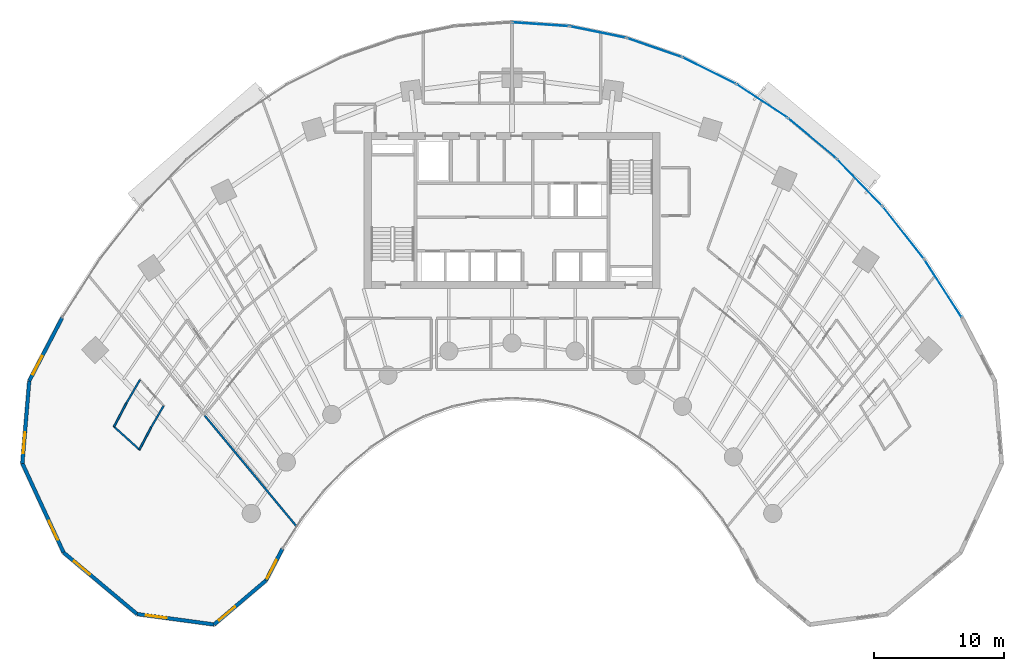
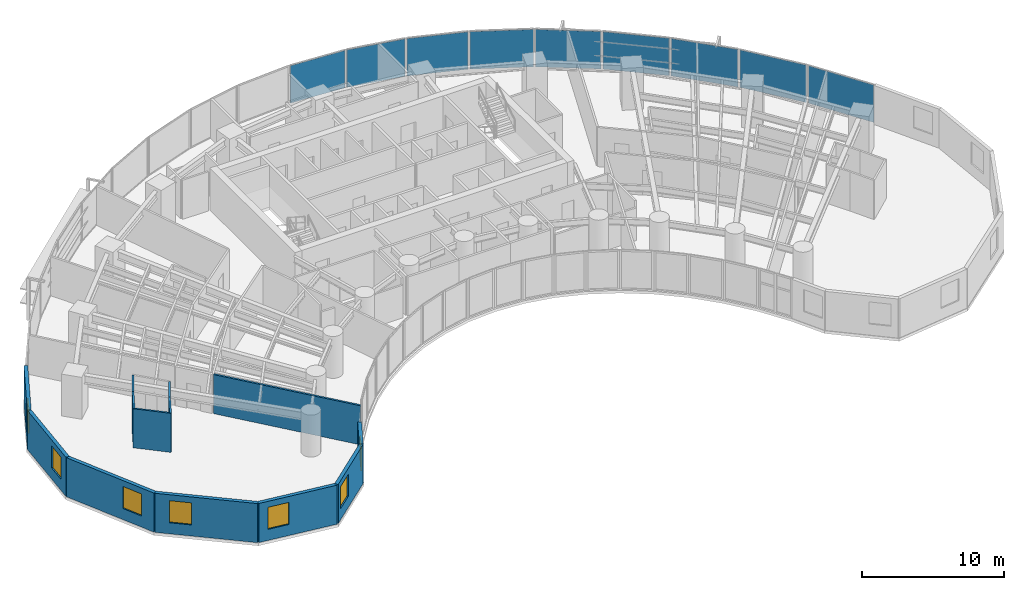
# One storey, part 10 of 17: 13 walls, 9 plates, 7 windows, 7 openings, 9 elements without a shape of their own.
"""IFC4 building model written with IfcOpenShell, lengths in metres."""

from ifc_helpers import new_model, si_unit, direction, frame, frame_2d, origin, origin_2d, place, context, subcontext, project, spatial, rectangle, extrude, source, transform, mapped, material, layer, layer_set, type_object, type_shapes, element, fill, aggregate, save


model = new_model("IFC4")

# Units and contexts
model_context = context("Model", 3, precision=1e-05, world=origin(), true_north=direction((0.0, 1.0)))
body_context = subcontext(model_context, "Body", "Model", "MODEL_VIEW")
ifc_project = project(units=[si_unit("LENGTHUNIT", "METRE"), si_unit("AREAUNIT", "SQUARE_METRE"), si_unit("VOLUMEUNIT", "CUBIC_METRE"), si_unit("PLANEANGLEUNIT", "RADIAN"), si_unit("MASSUNIT", "GRAM", prefix="KILO")], contexts=[model_context])

# Site, building, storey
site_placement = place(None, origin())
site = spatial("IfcSite", under=ifc_project, at=site_placement, CompositionType="ELEMENT")
building_placement = place(site_placement, origin())
building = spatial("IfcBuilding", under=site, at=building_placement, Name="Breltana Convention Tower", CompositionType="ELEMENT")
storey_placement = place(building_placement, frame((0.0, 0.0, 53.39990234375)))
storey = spatial("IfcBuildingStorey", under=building, at=storey_placement, Name="L11", CompositionType="ELEMENT", Elevation=53.39990234375)

# Curtain wall, plate
ifc_material_1 = material(Name="Aluminium Anodised Bronze Frame", Category="aluminium")
ifc_layer_1 = layer(ifc_material_1, 0.199951171875, Name="Aluminium Anodised Bronze Frame")
ifc_layer_set_1 = layer_set([ifc_layer_1], Name="Aluminium Anodised Bronze Frame")
curtain_wall_type = type_object("IfcCurtainWallType", Name="CW-SYS-2", PredefinedType="NOTDEFINED", material=ifc_layer_set_1)
curtain_wall_1_placement = place(storey_placement, origin())
curtain_wall_1 = element("IfcCurtainWall", 1, at=curtain_wall_1_placement, inside=storey, type_object=curtain_wall_type, Name="L11 outer double-skin inner glazing 17", PredefinedType="NOTDEFINED")
ifc_material_2 = material(Name="Glass Low-E Double Glazing", Category="glass")
ifc_layer_2 = layer(ifc_material_2, 0.031982421875, Name="Glass Low-E Double Glazing")
ifc_layer_set_2 = layer_set([ifc_layer_2], Name="Glass Low-E Double Glazing")
plate_type = type_object("IfcPlateType", Name="CWP-IGU-32", PredefinedType="CURTAIN_PANEL", material=ifc_layer_set_2)
shared_shape_1 = source(origin(), body_context, "Body", "SweptSolid", [
    extrude(rectangle(XDim=5.0546875, YDim=0.031982421875, at=origin_2d()), origin(), (0.0, 0.0, 1.0), 3.219970703125),
])
plate_1_placement = place(storey_placement, frame((78.038818359375, 64.504638671875, 0.0703125), z_axis=(0.0, 0.0, 1.0), x_axis=(0.618153917633, -0.786057080698, 0.0)))
plate_1 = element("IfcPlate", 2, at=plate_1_placement, type_object=plate_type, Name="CW-02 panel 1.1", PredefinedType="CURTAIN_PANEL", context=body_context, shape_type="MappedRepresentation", body=[
    mapped(shared_shape_1, transform((0.0, 0.0, 0.0), scale=1.0)),
])
aggregate(curtain_wall_1, [plate_1])

curtain_wall_2_placement = place(storey_placement, origin())
curtain_wall_2 = element("IfcCurtainWall", 3, at=curtain_wall_2_placement, inside=storey, type_object=curtain_wall_type, Name="L11 outer double-skin inner glazing 16", PredefinedType="NOTDEFINED")
shared_shape_2 = source(origin(), body_context, "Body", "SweptSolid", [
    extrude(rectangle(XDim=4.901123046875, YDim=0.031982421875, at=origin_2d()), origin(), (0.0, 0.0, 1.0), 3.219970703125),
])
plate_2_placement = place(storey_placement, frame((74.682373046875, 68.359619140625, 0.0703125), z_axis=(0.0, 0.0, 1.0), x_axis=(0.694610090106, -0.719386421003, 0.0)))
plate_2 = element("IfcPlate", 4, at=plate_2_placement, type_object=plate_type, Name="CW-02 panel 1.1", PredefinedType="CURTAIN_PANEL", context=body_context, shape_type="MappedRepresentation", body=[
    mapped(shared_shape_2, transform((0.0, 0.0, 0.0), scale=1.0)),
])
aggregate(curtain_wall_2, [plate_2])

curtain_wall_3_placement = place(storey_placement, origin())
curtain_wall_3 = element("IfcCurtainWall", 5, at=curtain_wall_3_placement, inside=storey, type_object=curtain_wall_type, Name="L11 outer double-skin inner glazing 15", PredefinedType="NOTDEFINED")
shared_shape_3 = source(origin(), body_context, "Body", "SweptSolid", [
    extrude(rectangle(XDim=4.7509765625, YDim=0.031982421875, at=origin_2d()), origin(), (0.0, 0.0, 1.0), 3.219970703125),
])
plate_3_placement = place(storey_placement, frame((71.0537109375, 71.7392578125, 0.0703125), z_axis=(0.0, 0.0, 1.0), x_axis=(0.767941326958, -0.640520193554, 0.0)))
plate_3 = element("IfcPlate", 6, at=plate_3_placement, type_object=plate_type, Name="CW-02 panel 1.1", PredefinedType="CURTAIN_PANEL", context=body_context, shape_type="MappedRepresentation", body=[
    mapped(shared_shape_3, transform((0.0, 0.0, 0.0), scale=1.0)),
])
aggregate(curtain_wall_3, [plate_3])

curtain_wall_4_placement = place(storey_placement, origin())
curtain_wall_4 = element("IfcCurtainWall", 7, at=curtain_wall_4_placement, inside=storey, type_object=curtain_wall_type, Name="L11 outer double-skin inner glazing 14", PredefinedType="NOTDEFINED")
shared_shape_4 = source(origin(), body_context, "Body", "SweptSolid", [
    extrude(rectangle(XDim=4.610595703125, YDim=0.031982421875, at=origin_2d()), origin(), (0.0, 0.0, 1.0), 3.219970703125),
])
plate_4_placement = place(storey_placement, frame((67.18994140625, 74.609130859375, 0.0703125), z_axis=(0.0, 0.0, 1.0), x_axis=(0.83596401875, -0.548784255746, 0.0)))
plate_4 = element("IfcPlate", 8, at=plate_4_placement, type_object=plate_type, Name="CW-02 panel 1.1", PredefinedType="CURTAIN_PANEL", context=body_context, shape_type="MappedRepresentation", body=[
    mapped(shared_shape_4, transform((0.0, 0.0, 0.0), scale=1.0)),
])
aggregate(curtain_wall_4, [plate_4])

curtain_wall_5_placement = place(storey_placement, origin())
curtain_wall_5 = element("IfcCurtainWall", 9, at=curtain_wall_5_placement, inside=storey, type_object=curtain_wall_type, Name="L11 outer double-skin inner glazing 13", PredefinedType="NOTDEFINED")
shared_shape_5 = source(origin(), body_context, "Body", "SweptSolid", [
    extrude(rectangle(XDim=4.487548828125, YDim=0.031982421875, at=origin_2d()), origin(), (0.0, 0.0, 1.0), 3.219970703125),
])
plate_5_placement = place(storey_placement, frame((63.13134765625, 76.940185546875, 0.0703125), z_axis=(0.0, 0.0, 1.0), x_axis=(0.895973407804, -0.444107703726, 0.0)))
plate_5 = element("IfcPlate", 10, at=plate_5_placement, type_object=plate_type, Name="CW-02 panel 1.1", PredefinedType="CURTAIN_PANEL", context=body_context, shape_type="MappedRepresentation", body=[
    mapped(shared_shape_5, transform((0.0, 0.0, 0.0), scale=1.0)),
])
aggregate(curtain_wall_5, [plate_5])

curtain_wall_6_placement = place(storey_placement, origin())
curtain_wall_6 = element("IfcCurtainWall", 11, at=curtain_wall_6_placement, inside=storey, type_object=curtain_wall_type, Name="L11 outer double-skin inner glazing 12", PredefinedType="NOTDEFINED")
shared_shape_6 = source(origin(), body_context, "Body", "SweptSolid", [
    extrude(rectangle(XDim=4.388427734375, YDim=0.031982421875, at=origin_2d()), origin(), (0.0, 0.0, 1.0), 3.219970703125),
])
plate_6_placement = place(storey_placement, frame((58.9189453125, 78.709228515625, 0.0703125), z_axis=(0.0, 0.0, 1.0), x_axis=(0.944876012163, -0.32742834581, 0.0)))
plate_6 = element("IfcPlate", 12, at=plate_6_placement, type_object=plate_type, Name="CW-02 panel 1.1", PredefinedType="CURTAIN_PANEL", context=body_context, shape_type="MappedRepresentation", body=[
    mapped(shared_shape_6, transform((0.0, 0.0, 0.0), scale=1.0)),
])
aggregate(curtain_wall_6, [plate_6])

curtain_wall_7_placement = place(storey_placement, origin())
curtain_wall_7 = element("IfcCurtainWall", 13, at=curtain_wall_7_placement, inside=storey, type_object=curtain_wall_type, Name="L11 outer double-skin inner glazing 11", PredefinedType="NOTDEFINED")
shared_shape_7 = source(origin(), body_context, "Body", "SweptSolid", [
    extrude(rectangle(XDim=4.318359375, YDim=0.031982421875, at=origin_2d()), origin(), (0.0, 0.0, 1.0), 3.219970703125),
])
plate_7_placement = place(storey_placement, frame((54.595703125, 79.898193359375, 0.0703125), z_axis=(0.0, 0.0, 1.0), x_axis=(0.979614925743, -0.200884537139, 0.0)))
plate_7 = element("IfcPlate", 14, at=plate_7_placement, type_object=plate_type, Name="CW-02 panel 1.1", PredefinedType="CURTAIN_PANEL", context=body_context, shape_type="MappedRepresentation", body=[
    mapped(shared_shape_7, transform((0.0, 0.0, 0.0), scale=1.0)),
])
aggregate(curtain_wall_7, [plate_7])

curtain_wall_8_placement = place(storey_placement, origin())
curtain_wall_8 = element("IfcCurtainWall", 15, at=curtain_wall_8_placement, inside=storey, type_object=curtain_wall_type, Name="L11 outer double-skin inner glazing 10", PredefinedType="NOTDEFINED")
shared_shape_8 = source(origin(), body_context, "Body", "SweptSolid", [
    extrude(rectangle(XDim=4.2822265625, YDim=0.031982421875, at=origin_2d()), origin(), (0.0, 0.0, 1.0), 3.219970703125),
])
plate_8_placement = place(storey_placement, frame((50.2060546875, 80.495849609375, 0.0703125), z_axis=(0.0, 0.0, 1.0), x_axis=(0.997703982282, -0.067725650529, 0.0)))
plate_8 = element("IfcPlate", 16, at=plate_8_placement, type_object=plate_type, Name="CW-02 panel 1.1", PredefinedType="CURTAIN_PANEL", context=body_context, shape_type="MappedRepresentation", body=[
    mapped(shared_shape_8, transform((0.0, 0.0, 0.0), scale=1.0)),
])
aggregate(curtain_wall_8, [plate_8])

curtain_wall_9_placement = place(storey_placement, origin())
curtain_wall_9 = element("IfcCurtainWall", 17, at=curtain_wall_9_placement, inside=storey, type_object=curtain_wall_type, Name="L11 outer double-skin inner glazing 18", PredefinedType="NOTDEFINED")
shared_shape_9 = source(origin(), body_context, "Body", "SweptSolid", [
    extrude(rectangle(XDim=5.20556640625, YDim=0.031982421875, at=origin_2d()), origin(), (0.0, 0.0, 1.0), 3.219970703125),
])
plate_9_placement = place(storey_placement, frame((81.088134765625, 60.2138671875, 0.0703125), z_axis=(0.0, 0.0, 1.0), x_axis=(0.540180724109, -0.841549039154, 0.0)))
plate_9 = element("IfcPlate", 18, at=plate_9_placement, type_object=plate_type, Name="CW-02 panel 1.1", PredefinedType="CURTAIN_PANEL", context=body_context, shape_type="MappedRepresentation", body=[
    mapped(shared_shape_9, transform((0.0, 0.0, 0.0), scale=1.0)),
])
aggregate(curtain_wall_9, [plate_9])

# Wall, opening, window
ifc_material_3 = material(Name="Limestone Buff Insulated Wall", Category="masonry")
ifc_layer_3 = layer(ifc_material_3, 0.280029296875, Name="Limestone Buff Insulated Wall")
ifc_layer_set_3 = layer_set([ifc_layer_3], Name="Limestone Buff Insulated Wall")
wall_type_1 = type_object("IfcWallType", Name="WL-EXT-NOSE-280", PredefinedType="SOLIDWALL", material=ifc_layer_set_3)
shared_shape_10 = source(origin(), body_context, "Body", "SweptSolid", [
    extrude(rectangle(XDim=6.3525390625, YDim=0.280029296875, at=frame_2d((3.17626953125, 0.0))), origin(), (0.0, 0.0, 1.0), 3.360107421875),
])
wall_1_placement = place(storey_placement, frame((10.417724609375, 46.79150390625, 0.0), z_axis=(0.0, 0.0, 1.0), x_axis=(0.083319001377, 0.996522926986, 0.0)))
wall_1 = element("IfcWall", 19, at=wall_1_placement, inside=storey, type_object=wall_type_1, Name="L11 curved limestone nose wall W6", PredefinedType="SOLIDWALL", context=body_context, shape_type="MappedRepresentation", body=[
    mapped(shared_shape_10, transform((0.0, 0.0, 0.0), scale=1.0)),
])
opening_1_placement = place(wall_1_placement, frame((0.7880859375, 0.0, 0.949951171875)))
opening_1 = element("IfcOpeningElement", 20, at=opening_1_placement, cuts=wall_1, Name="Opening W-04", PredefinedType="OPENING", context=body_context, shape_type="SweptSolid", body=[
    extrude(rectangle(XDim=1.60009765625, YDim=1.89990234375, at=frame_2d((0.800048828125, 0.949951171875))), frame((0.0, 0.14990234375, 0.0), z_axis=(0.0, -1.0, 0.0), x_axis=(1.0, 0.0, 0.0)), (0.0, 0.0, 1.0), 0.300048828125),
])
ifc_material_4 = material(Name="Glass Low-E Insulated Window", Category="glass")
window_type = type_object("IfcWindowType", Name="WN-NOSE-1600X1900", PartitioningType="SINGLE_PANEL", PredefinedType="WINDOW", material=ifc_material_4)
shared_shape_11 = source(origin(), body_context, "Body", "SweptSolid", [
    extrude(rectangle(XDim=1.60009765625, YDim=1.89990234375, at=frame_2d((0.800048828125, 0.949951171875))), frame((0.0, 0.030029296875, 0.0), z_axis=(0.0, -1.0, 0.0), x_axis=(1.0, 0.0, 0.0)), (0.0, 0.0, 1.0), 0.06005859375),
])
type_shapes(window_type, [shared_shape_11])
window_1_placement = place(opening_1_placement, origin())
window_1 = element("IfcWindow", 21, at=window_1_placement, inside=storey, type_object=window_type, Name="L11 nose window W6", OverallHeight=1.89990234375, OverallWidth=1.60009765625, PartitioningType="SINGLE_PANEL", PredefinedType="WINDOW", context=body_context, shape_type="MappedRepresentation", body=[
    mapped(shared_shape_11, transform((0.0, 0.0, 0.0), scale=1.0)),
])
fill(opening_1, window_1)

shared_shape_12 = source(origin(), body_context, "Body", "SweptSolid", [
    extrude(rectangle(XDim=7.536376953125, YDim=0.280029296875, at=frame_2d((3.76806640625, 0.0))), origin(), (0.0, 0.0, 1.0), 3.360107421875),
])
wall_2_placement = place(storey_placement, frame((13.580322265625, 39.950927734375, 0.0), z_axis=(0.0, 0.0, 1.0), x_axis=(-0.41964973873, 0.907686122393, 0.0)))
wall_2 = element("IfcWall", 22, at=wall_2_placement, inside=storey, type_object=wall_type_1, Name="L11 curved limestone nose wall W5", PredefinedType="SOLIDWALL", context=body_context, shape_type="MappedRepresentation", body=[
    mapped(shared_shape_12, transform((0.0, 0.0, 0.0), scale=1.0)),
])
opening_2_placement = place(wall_2_placement, frame((1.083984375, 0.0, 0.949951171875)))
opening_2 = element("IfcOpeningElement", 23, at=opening_2_placement, cuts=wall_2, Name="Opening W-04", PredefinedType="OPENING", context=body_context, shape_type="SweptSolid", body=[
    extrude(rectangle(XDim=1.60009765625, YDim=1.89990234375, at=frame_2d((0.800048828125, 0.949951171875))), frame((0.0, 0.14990234375, 0.0), z_axis=(0.0, -1.0, 0.0), x_axis=(1.0, 0.0, 0.0)), (0.0, 0.0, 1.0), 0.300048828125),
])
window_2_placement = place(opening_2_placement, origin())
window_2 = element("IfcWindow", 24, at=window_2_placement, inside=storey, type_object=window_type, Name="L11 nose window W5", OverallHeight=1.89990234375, OverallWidth=1.60009765625, PartitioningType="SINGLE_PANEL", PredefinedType="WINDOW", context=body_context, shape_type="MappedRepresentation", body=[
    mapped(shared_shape_11, transform((0.0, 0.0, 0.0), scale=1.0)),
])
fill(opening_2, window_2)

shared_shape_13 = source(origin(), body_context, "Body", "SweptSolid", [
    extrude(rectangle(XDim=7.35888671875, YDim=0.280029296875, at=frame_2d((3.679443359375, 0.0))), origin(), (0.0, 0.0, 1.0), 3.360107421875),
])
wall_3_placement = place(storey_placement, frame((19.22265625, 35.226806640625, 0.0), z_axis=(0.0, 0.0, 1.0), x_axis=(-0.766737165543, 0.641961150675, 0.0)))
wall_3 = element("IfcWall", 25, at=wall_3_placement, inside=storey, type_object=wall_type_1, Name="L11 curved limestone nose wall W4", PredefinedType="SOLIDWALL", context=body_context, shape_type="MappedRepresentation", body=[
    mapped(shared_shape_13, transform((0.0, 0.0, 0.0), scale=1.0)),
])
opening_3_placement = place(wall_3_placement, frame((4.71923828125, 0.0, 0.949951171875)))
opening_3 = element("IfcOpeningElement", 26, at=opening_3_placement, cuts=wall_3, Name="Opening W-04", PredefinedType="OPENING", context=body_context, shape_type="SweptSolid", body=[
    extrude(rectangle(XDim=1.60009765625, YDim=1.89990234375, at=frame_2d((0.800048828125, 0.949951171875))), frame((0.0, 0.14990234375, 0.0), z_axis=(0.0, -1.0, 0.0), x_axis=(1.0, 0.0, 0.0)), (0.0, 0.0, 1.0), 0.300048828125),
])
window_3_placement = place(opening_3_placement, origin())
window_3 = element("IfcWindow", 27, at=window_3_placement, inside=storey, type_object=window_type, Name="L11 nose window W4", OverallHeight=1.89990234375, OverallWidth=1.60009765625, PartitioningType="SINGLE_PANEL", PredefinedType="WINDOW", context=body_context, shape_type="MappedRepresentation", body=[
    mapped(shared_shape_11, transform((0.0, 0.0, 0.0), scale=1.0)),
])
fill(opening_3, window_3)

shared_shape_14 = source(origin(), body_context, "Body", "SweptSolid", [
    extrude(rectangle(XDim=5.96728515625, YDim=0.280029296875, at=frame_2d((2.983642578125, 0.0))), origin(), (0.0, 0.0, 1.0), 3.360107421875),
])
wall_4_placement = place(storey_placement, frame((25.1357421875, 34.4248046875, 0.0), z_axis=(0.0, 0.0, 1.0), x_axis=(-0.990927009341, 0.134401124099, 0.0)))
wall_4 = element("IfcWall", 28, at=wall_4_placement, inside=storey, type_object=wall_type_1, Name="L11 curved limestone nose wall W3", PredefinedType="SOLIDWALL", context=body_context, shape_type="MappedRepresentation", body=[
    mapped(shared_shape_14, transform((0.0, 0.0, 0.0), scale=1.0)),
])
opening_4_placement = place(wall_4_placement, frame((3.675537109375, 0.0, 0.949951171875)))
opening_4 = element("IfcOpeningElement", 29, at=opening_4_placement, cuts=wall_4, Name="Opening W-04", PredefinedType="OPENING", context=body_context, shape_type="SweptSolid", body=[
    extrude(rectangle(XDim=1.60009765625, YDim=1.89990234375, at=frame_2d((0.800048828125, 0.949951171875))), frame((0.0, 0.14990234375, 0.0), z_axis=(0.0, -1.0, 0.0), x_axis=(1.0, 0.0, 0.0)), (0.0, 0.0, 1.0), 0.300048828125),
])
window_4_placement = place(opening_4_placement, origin())
window_4 = element("IfcWindow", 30, at=window_4_placement, inside=storey, type_object=window_type, Name="L11 nose window W3", OverallHeight=1.89990234375, OverallWidth=1.60009765625, PartitioningType="SINGLE_PANEL", PredefinedType="WINDOW", context=body_context, shape_type="MappedRepresentation", body=[
    mapped(shared_shape_11, transform((0.0, 0.0, 0.0), scale=1.0)),
])
fill(opening_4, window_4)

shared_shape_15 = source(origin(), body_context, "Body", "SweptSolid", [
    extrude(rectangle(XDim=5.222412109375, YDim=0.280029296875, at=frame_2d((2.611328125, 0.0))), origin(), (0.0, 0.0, 1.0), 3.360107421875),
])
wall_5_placement = place(storey_placement, frame((29.11474609375, 37.807373046875, 0.0), z_axis=(0.0, 0.0, 1.0), x_axis=(-0.761900099546, -0.647694556339, 0.0)))
wall_5 = element("IfcWall", 31, at=wall_5_placement, inside=storey, type_object=wall_type_1, Name="L11 curved limestone nose wall W2", PredefinedType="SOLIDWALL", context=body_context, shape_type="MappedRepresentation", body=[
    mapped(shared_shape_15, transform((0.0, 0.0, 0.0), scale=1.0)),
])
opening_5_placement = place(wall_5_placement, frame((3.11669921875, 0.0, 0.949951171875)))
opening_5 = element("IfcOpeningElement", 32, at=opening_5_placement, cuts=wall_5, Name="Opening W-04", PredefinedType="OPENING", context=body_context, shape_type="SweptSolid", body=[
    extrude(rectangle(XDim=1.60009765625, YDim=1.89990234375, at=frame_2d((0.800048828125, 0.949951171875))), frame((0.0, 0.14990234375, 0.0), z_axis=(0.0, -1.0, 0.0), x_axis=(1.0, 0.0, 0.0)), (0.0, 0.0, 1.0), 0.300048828125),
])
window_5_placement = place(opening_5_placement, origin())
window_5 = element("IfcWindow", 33, at=window_5_placement, inside=storey, type_object=window_type, Name="L11 nose window W2", OverallHeight=1.89990234375, OverallWidth=1.60009765625, PartitioningType="SINGLE_PANEL", PredefinedType="WINDOW", context=body_context, shape_type="MappedRepresentation", body=[
    mapped(shared_shape_11, transform((0.0, 0.0, 0.0), scale=1.0)),
])
fill(opening_5, window_5)

shared_shape_16 = source(origin(), body_context, "Body", "SweptSolid", [
    extrude(rectangle(XDim=2.7353515625, YDim=0.280029296875, at=frame_2d((1.36767578125, 0.0))), origin(), (0.0, 0.0, 1.0), 3.360107421875),
])
wall_6_placement = place(storey_placement, frame((30.3779296875, 40.233642578125, 0.0), z_axis=(0.0, 0.0, 1.0), x_axis=(-0.46179107292, -0.886988728774, 0.0)))
wall_6 = element("IfcWall", 34, at=wall_6_placement, inside=storey, type_object=wall_type_1, Name="L11 curved limestone nose wall W1", PredefinedType="SOLIDWALL", context=body_context, shape_type="MappedRepresentation", body=[
    mapped(shared_shape_16, transform((0.0, 0.0, 0.0), scale=1.0)),
])
opening_6_placement = place(wall_6_placement, frame((0.9755859375, 0.0, 0.949951171875)))
opening_6 = element("IfcOpeningElement", 35, at=opening_6_placement, cuts=wall_6, Name="Opening W-04", PredefinedType="OPENING", context=body_context, shape_type="SweptSolid", body=[
    extrude(rectangle(XDim=1.60009765625, YDim=1.89990234375, at=frame_2d((0.800048828125, 0.949951171875))), frame((0.0, 0.14990234375, 0.0), z_axis=(0.0, -1.0, 0.0), x_axis=(1.0, 0.0, 0.0)), (0.0, 0.0, 1.0), 0.300048828125),
])
window_6_placement = place(opening_6_placement, origin())
window_6 = element("IfcWindow", 36, at=window_6_placement, inside=storey, type_object=window_type, Name="L11 nose window W1", OverallHeight=1.89990234375, OverallWidth=1.60009765625, PartitioningType="SINGLE_PANEL", PredefinedType="WINDOW", context=body_context, shape_type="MappedRepresentation", body=[
    mapped(shared_shape_11, transform((0.0, 0.0, 0.0), scale=1.0)),
])
fill(opening_6, window_6)

shared_shape_17 = source(origin(), body_context, "Body", "SweptSolid", [
    extrude(rectangle(XDim=5.45947265625, YDim=0.280029296875, at=frame_2d((2.729736328125, 0.0))), origin(), (0.0, 0.0, 1.0), 3.360107421875),
])
wall_7_placement = place(storey_placement, frame((10.947021484375, 53.1220703125, 0.0), z_axis=(0.0, 0.0, 1.0), x_axis=(0.461768054321, 0.887000712518, 0.0)))
wall_7 = element("IfcWall", 37, at=wall_7_placement, inside=storey, type_object=wall_type_1, Name="L11 curved limestone nose wall W7", PredefinedType="SOLIDWALL", context=body_context, shape_type="MappedRepresentation", body=[
    mapped(shared_shape_17, transform((0.0, 0.0, 0.0), scale=1.0)),
])
opening_7_placement = place(wall_7_placement, frame((0.56494140625, 0.0, 0.949951171875)))
opening_7 = element("IfcOpeningElement", 38, at=opening_7_placement, cuts=wall_7, Name="Opening W-04", PredefinedType="OPENING", context=body_context, shape_type="SweptSolid", body=[
    extrude(rectangle(XDim=1.60009765625, YDim=1.89990234375, at=frame_2d((0.800048828125, 0.949951171875))), frame((0.0, 0.14990234375, 0.0), z_axis=(0.0, -1.0, 0.0), x_axis=(1.0, 0.0, 0.0)), (0.0, 0.0, 1.0), 0.300048828125),
])
window_7_placement = place(opening_7_placement, origin())
window_7 = element("IfcWindow", 39, at=window_7_placement, inside=storey, type_object=window_type, Name="L11 nose window W7", OverallHeight=1.89990234375, OverallWidth=1.60009765625, PartitioningType="SINGLE_PANEL", PredefinedType="WINDOW", context=body_context, shape_type="MappedRepresentation", body=[
    mapped(shared_shape_11, transform((0.0, 0.0, 0.0), scale=1.0)),
])
fill(opening_7, window_7)

# Walls
ifc_material_5 = material(Name="Moisture-Resistant En-Suite Partition")
ifc_layer_4 = layer(ifc_material_5, 0.139892578125, Name="Moisture-Resistant En-Suite Partition")
ifc_layer_set_4 = layer_set([ifc_layer_4], Name="Moisture-Resistant En-Suite Partition")
wall_type_2 = type_object("IfcWallType", Name="WL-WET-150", PredefinedType="PARTITIONING", material=ifc_layer_set_4)
shared_shape_18 = source(origin(), body_context, "Body", "SweptSolid", [
    extrude(rectangle(XDim=2.738037109375, YDim=0.139892578125, at=frame_2d((1.369140625, 0.0))), origin(), (0.0, 0.0, 1.0), 3.360107421875),
])
wall_8_placement = place(storey_placement, frame((19.439697265625, 47.81396484375, 0.0), z_axis=(0.0, 0.0, 1.0), x_axis=(-0.741873676582, 0.670539669218, 0.0)))
element("IfcWall", 40, at=wall_8_placement, inside=storey, type_object=wall_type_2, Name="L11 interior partition W-L11-CSENS-W-F", PredefinedType="PARTITIONING", context=body_context, shape_type="MappedRepresentation", body=[
    mapped(shared_shape_18, transform((0.0, 0.0, 0.0), scale=1.0)),
])
shared_shape_19 = source(origin(), body_context, "Body", "SweptSolid", [
    extrude(rectangle(XDim=1.936279296875, YDim=0.139892578125, at=frame_2d((0.96826171875, 0.0))), origin(), (0.0, 0.0, 1.0), 3.360107421875),
])
wall_9_placement = place(storey_placement, frame((19.398193359375, 47.8515625, 0.0), z_axis=(0.0, 0.0, 1.0), x_axis=(0.467174971862, 0.884164886017, 0.0)))
element("IfcWall", 41, at=wall_9_placement, inside=storey, type_object=wall_type_2, Name="L11 interior partition W-L11-CSENS-W-B1A", PredefinedType="PARTITIONING", context=body_context, shape_type="MappedRepresentation", body=[
    mapped(shared_shape_19, transform((0.0, 0.0, 0.0), scale=1.0)),
])
shared_shape_20 = source(origin(), body_context, "Body", "SweptSolid", [
    extrude(rectangle(XDim=2.068115234375, YDim=0.139892578125, at=frame_2d((1.0341796875, 0.0))), origin(), (0.0, 0.0, 1.0), 3.360107421875),
])
wall_10_placement = place(storey_placement, frame((17.449951171875, 49.6123046875, 0.0), z_axis=(0.0, 0.0, 1.0), x_axis=(0.467215057643, 0.884143704333, 0.0)))
element("IfcWall", 42, at=wall_10_placement, inside=storey, type_object=wall_type_2, Name="L11 interior partition W-L11-CSENS-W-B2A", PredefinedType="PARTITIONING", context=body_context, shape_type="MappedRepresentation", body=[
    mapped(shared_shape_20, transform((0.0, 0.0, 0.0), scale=1.0)),
])
shared_shape_21 = source(origin(), body_context, "Body", "SweptSolid", [
    extrude(rectangle(XDim=1.914306640625, YDim=0.139892578125, at=frame_2d((0.95703125, 0.0))), origin(), (0.0, 0.0, 1.0), 3.360107421875),
])
wall_11_placement = place(storey_placement, frame((20.302734375, 49.5634765625, 0.0), z_axis=(0.0, 0.0, 1.0), x_axis=(0.502347790612, 0.864665656347, 0.0)))
element("IfcWall", 43, at=wall_11_placement, inside=storey, type_object=wall_type_2, Name="L11 interior partition W-L11-CSENS-W-B1B", PredefinedType="PARTITIONING", context=body_context, shape_type="MappedRepresentation", body=[
    mapped(shared_shape_21, transform((0.0, 0.0, 0.0), scale=1.0)),
])
shared_shape_22 = source(origin(), body_context, "Body", "SweptSolid", [
    extrude(rectangle(XDim=2.044677734375, YDim=0.139892578125, at=frame_2d((1.0224609375, 0.0))), origin(), (0.0, 0.0, 1.0), 3.360107421875),
])
wall_12_placement = place(storey_placement, frame((18.416259765625, 51.44091796875, 0.0), z_axis=(0.0, 0.0, 1.0), x_axis=(0.5023112139, 0.864686905411, 0.0)))
element("IfcWall", 44, at=wall_12_placement, inside=storey, type_object=wall_type_2, Name="L11 interior partition W-L11-CSENS-W-B2B", PredefinedType="PARTITIONING", context=body_context, shape_type="MappedRepresentation", body=[
    mapped(shared_shape_22, transform((0.0, 0.0, 0.0), scale=1.0)),
])
ifc_material_6 = material(Name="Gypsum Acoustic Drywall Partition")
ifc_layer_5 = layer(ifc_material_6, 0.14990234375, Name="Gypsum Acoustic Drywall Partition")
ifc_layer_set_5 = layer_set([ifc_layer_5], Name="Gypsum Acoustic Drywall Partition")
wall_type_3 = type_object("IfcWallType", Name="WL-PART-150", PredefinedType="PARTITIONING", material=ifc_layer_set_5)
shared_shape_23 = source(origin(), body_context, "Body", "SweptSolid", [
    extrude(rectangle(XDim=11.05322265625, YDim=0.14990234375, at=frame_2d((5.526611328125, 0.0))), origin(), (0.0, 0.0, 1.0), 3.360107421875),
])
wall_13_placement = place(storey_placement, frame((31.466064453125, 41.948974609375, 0.0), z_axis=(0.0, 0.0, 1.0), x_axis=(-0.638131235571, 0.769927611005, 0.0)))
element("IfcWall", 45, at=wall_13_placement, inside=storey, type_object=wall_type_3, Name="L11 interior partition W-L11-HCF1-RA", PredefinedType="PARTITIONING", context=body_context, shape_type="MappedRepresentation", body=[
    mapped(shared_shape_23, transform((0.0, 0.0, 0.0), scale=1.0)),
])

save(model, "model.ifc")
